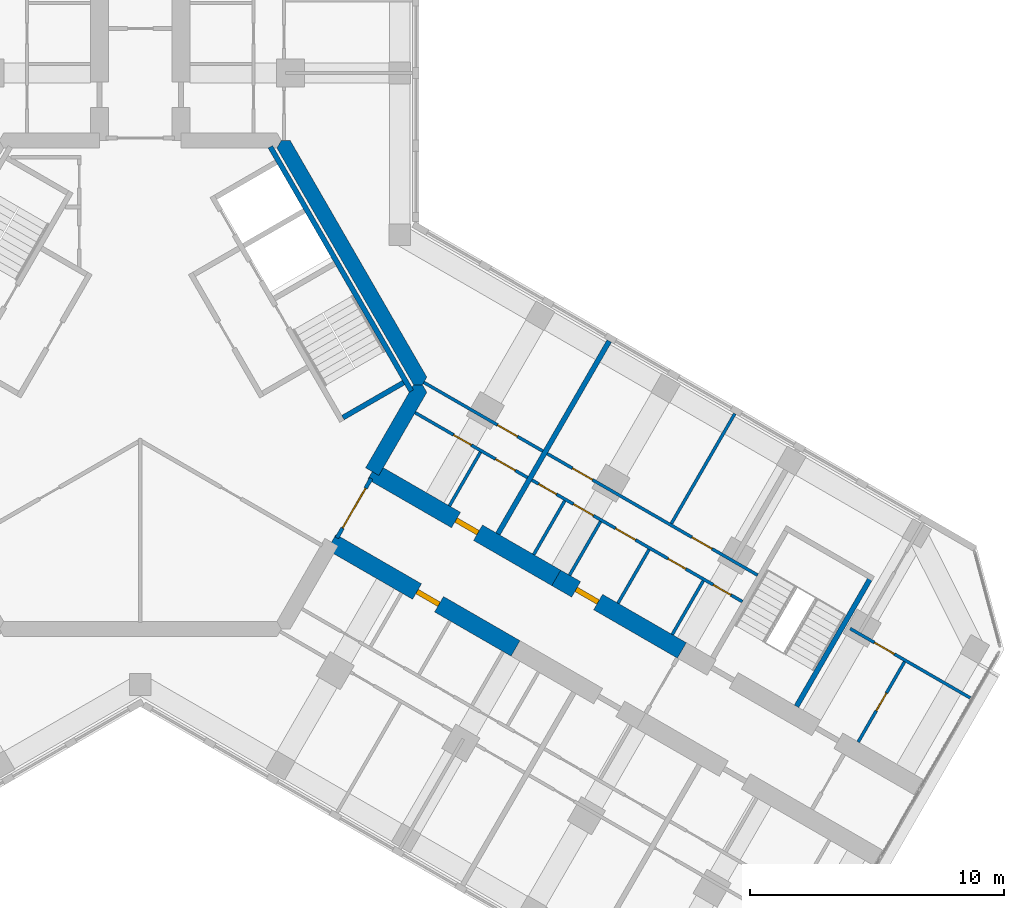
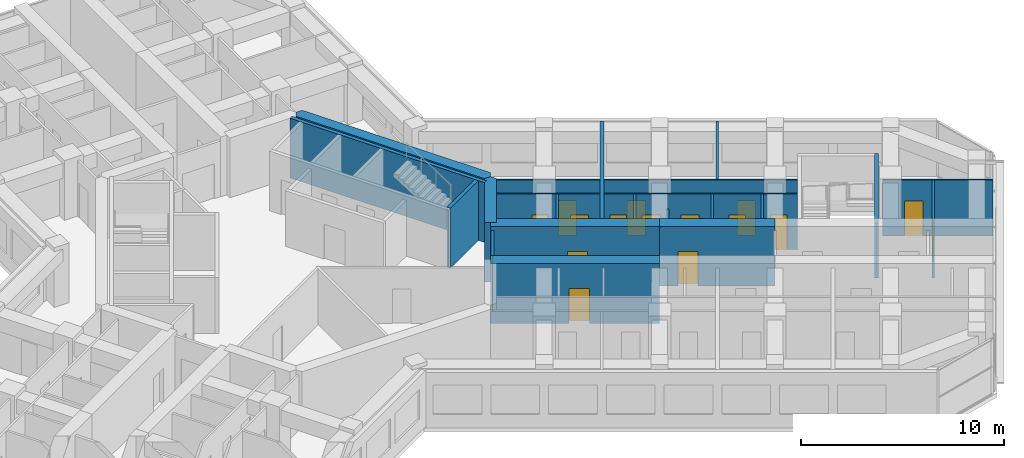
# One storey, part 12 of 16: 22 walls, 16 doors, 16 openings.
"""IFC4 building model written with IfcOpenShell, lengths in metres."""

import ifcopenshell
import ifcopenshell.guid

model = None  # the IFC model being written
_history = None  # IfcOwnerHistory: only IFC2X3 demands one
_inside = {}  # id of a spatial element -> (the spatial element, [elements in it])
_under = {}  # id of a project, library or spatial element -> (it, [spatial elements below it])
_declared = {}  # id of a project -> (the project, [libraries it declares])
_typed = {}  # id of a type object -> (the type object, [elements of that type])
_made_of = {}  # id of a material, layer set ... -> (it, [elements and type objects made of it])


def new_model(schema):
    """Start an empty IFC model of exactly this schema.

    Asked for "IFC4X3", IfcOpenShell would pick the latest addendum, in which some entities
    have other attributes; the version numbers below select the first issue.
    IFC2X3 requires an IfcOwnerHistory on every rooted entity: one is made here for all.
    """
    global model, _history
    if schema == "IFC4X3":
        model = ifcopenshell.file(schema_version=(4, 3, 0, 0))
    else:
        model = ifcopenshell.file(schema=schema)
    _inside.clear()
    _under.clear()
    _declared.clear()
    _typed.clear()
    _made_of.clear()
    _history = None
    if model.schema == "IFC2X3":
        org = make("IfcOrganization", Name="unknown")
        user = make(
            "IfcPersonAndOrganization",
            ThePerson=make("IfcPerson", FamilyName="unknown"),
            TheOrganization=org,
        )
        app = make(
            "IfcApplication",
            ApplicationDeveloper=org,
            Version="unknown",
            ApplicationFullName="unknown",
            ApplicationIdentifier="unknown",
        )
        _history = make(
            "IfcOwnerHistory",
            OwningUser=user,
            OwningApplication=app,
            ChangeAction="ADDED",
            CreationDate=0,
        )
    return model


def make(cls, **values):
    """One entity of the class cls with the attributes given. An attribute that is None is left unset."""
    return model.create_entity(
        cls, **{name: value for name, value in values.items() if value is not None}
    )


def rooted(cls, **values):
    """An entity with a GlobalId (a new one), such as an element, a storey or a relation."""
    return make(cls, GlobalId=ifcopenshell.guid.new(), OwnerHistory=_history, **values)


def si_unit(unit_type, name, prefix=None):
    """IfcSIUnit, for example si_unit("LENGTHUNIT", "METRE", prefix="MILLI")."""
    return make("IfcSIUnit", UnitType=unit_type, Prefix=prefix, Name=name)


def assignment(units):
    """IfcUnitAssignment: the units of a project."""
    return None if units is None else make("IfcUnitAssignment", Units=units)


def point(xyz):
    """IfcCartesianPoint."""
    return None if xyz is None else make("IfcCartesianPoint", Coordinates=xyz)


def direction(xyz):
    """IfcDirection."""
    return None if xyz is None else make("IfcDirection", DirectionRatios=xyz)


def frame(location, z_axis=None, x_axis=None):
    """IfcAxis2Placement3D, a coordinate frame: its origin and axes. An axis left out is left unset."""
    return make(
        "IfcAxis2Placement3D",
        Location=point(location),
        Axis=direction(z_axis),
        RefDirection=direction(x_axis),
    )


def frame_2d(location, x_axis=None):
    """IfcAxis2Placement2D, a coordinate frame in the plane: its origin and x axis."""
    return make(
        "IfcAxis2Placement2D", Location=point(location), RefDirection=direction(x_axis)
    )


def origin():
    """The frame at (0, 0, 0) with its axes left unset."""
    return frame((0.0, 0.0, 0.0))


def place(relative_to, where):
    """IfcLocalPlacement: puts the frame where relative to a parent placement (None: the world)."""
    return make(
        "IfcLocalPlacement", PlacementRelTo=relative_to, RelativePlacement=where
    )


def context(
    kind, dimensions, precision=None, world=None, true_north=None, identifier=None
):
    """IfcGeometricRepresentationContext, for example the 3D "Model" context."""
    return make(
        "IfcGeometricRepresentationContext",
        ContextIdentifier=identifier,
        ContextType=kind,
        CoordinateSpaceDimension=dimensions,
        Precision=precision,
        WorldCoordinateSystem=world,
        TrueNorth=true_north,
    )


def subcontext(parent, identifier, kind, view, scale=None):
    """IfcGeometricRepresentationSubContext, for example "Body" below "Model"."""
    return make(
        "IfcGeometricRepresentationSubContext",
        ContextIdentifier=identifier,
        ContextType=kind,
        ParentContext=parent,
        TargetScale=scale,
        TargetView=view,
    )


def project(units=None, contexts=None):
    """IfcProject with its units and contexts."""
    return rooted(
        "IfcProject",
        Name="project",
        RepresentationContexts=contexts,
        UnitsInContext=assignment(units),
    )


def spatial(cls, under=None, at=None, **own):
    """A site, building, storey or space (cls), placed at a placement, below another one or the project."""
    s = rooted(cls, ObjectPlacement=at, **own)
    if under is not None:
        _under.setdefault(under.id(), (under, []))[1].append(s)
    return s


def polyline(points):
    """IfcPolyline through the points."""
    return make("IfcPolyline", Points=[point(p) for p in points])


def profile(cls, at=None, kind="AREA", **sizes):
    """A parametric profile (cls). Its sizes go by their IFC names, for example OverallWidth=200.0."""
    return make(cls, ProfileType=kind, Position=at, **sizes)


def rectangle(**sizes):
    """IfcRectangleProfileDef."""
    return profile("IfcRectangleProfileDef", **sizes)


def outline(outer, holes=None, kind="AREA"):
    """IfcArbitraryClosedProfileDef: a profile drawn as a closed curve; with holes, ...WithVoids."""
    if holes is None:
        return make("IfcArbitraryClosedProfileDef", ProfileType=kind, OuterCurve=outer)
    return make(
        "IfcArbitraryProfileDefWithVoids",
        ProfileType=kind,
        OuterCurve=outer,
        InnerCurves=holes,
    )


def extrude(swept, where, along, depth):
    """IfcExtrudedAreaSolid: the profile swept, set in the frame where, extruded along a direction by depth."""
    return make(
        "IfcExtrudedAreaSolid",
        SweptArea=swept,
        Position=where,
        ExtrudedDirection=direction(along),
        Depth=depth,
    )


def shape(context_of_items, identifier, shape_type, items):
    """IfcShapeRepresentation: the items that make up one representation, for example the "Body"."""
    return make(
        "IfcShapeRepresentation",
        ContextOfItems=context_of_items,
        RepresentationIdentifier=identifier,
        RepresentationType=shape_type,
        Items=items,
    )


def material(Name=None, Category=None):
    """IfcMaterial."""
    return make("IfcMaterial", Name=Name, Category=Category)


def layer(
    of_material, thickness, ventilated=None, Name=None, Category=None, Priority=None
):
    """IfcMaterialLayer: one layer of a wall or slab, of a material (None: an air gap)."""
    return make(
        "IfcMaterialLayer",
        Material=of_material,
        LayerThickness=thickness,
        IsVentilated=ventilated,
        Name=Name,
        Category=Category,
        Priority=Priority,
    )


def layer_set(layers, Name=None):
    """IfcMaterialLayerSet."""
    return make("IfcMaterialLayerSet", MaterialLayers=layers, LayerSetName=Name)


def made_of(thing, what):
    """Note that an element or type object is made of a material, layer set ...; save() writes the relation."""
    if what is not None:
        _made_of.setdefault(what.id(), (what, []))[1].append(thing)
    return thing


def type_object(cls, material=None, **own):
    """A type object (cls), such as IfcWallType, which elements share."""
    return made_of(rooted(cls, **own), material)


def element(
    cls,
    number,
    at=None,
    inside=None,
    cuts=None,
    type_object=None,
    material=None,
    context=None,
    identifier="Body",
    shape_type=None,
    held_by="IfcProductDefinitionShape",
    body=None,
    shapes=None,
    **own,
):
    """One element of the class cls, such as IfcWall. Its Tag is "e" and its number.

    at: its placement. inside: the storey or other place that contains it. cuts: it is an
    opening in that element (IfcRelVoidsElement). A single representation is given by context,
    identifier, shape_type and body (its items); several are given by shapes. held_by: the class
    of the entity that holds the representations. save() writes the other relations.
    """
    e = rooted(cls, Tag="e%d" % number, ObjectPlacement=at, **own)
    if body is not None:
        shapes = [shape(context, identifier, shape_type, body)]
    if shapes is not None:
        e.Representation = make(held_by, Representations=shapes)
    if inside is not None:
        _inside.setdefault(inside.id(), (inside, []))[1].append(e)
    if cuts is not None:
        rooted(
            "IfcRelVoidsElement", RelatingBuildingElement=cuts, RelatedOpeningElement=e
        )
    if type_object is not None:
        _typed.setdefault(type_object.id(), (type_object, []))[1].append(e)
    return made_of(e, material)


def fill(opening, filler):
    """IfcRelFillsElement: the door or window that sits in an opening."""
    return rooted(
        "IfcRelFillsElement",
        RelatingOpeningElement=opening,
        RelatedBuildingElement=filler,
    )


def aggregate(whole, parts):
    """IfcRelAggregates: a whole, such as a stair, and the parts it consists of."""
    return rooted("IfcRelAggregates", RelatingObject=whole, RelatedObjects=parts)


def save(model, path):
    """Write the relations noted so far, then the file.

    IfcRelAggregates (storeys below a building ...), IfcRelContainedInSpatialStructure (elements
    in a storey), IfcRelDefinesByType, IfcRelAssociatesMaterial and IfcRelDeclares: one each for
    every whole, place, type object, material and project.
    """
    for whole, parts in _under.values():
        aggregate(whole, parts)
    for where, things in _inside.values():
        rooted(
            "IfcRelContainedInSpatialStructure",
            RelatedElements=things,
            RelatingStructure=where,
        )
    for kind, things in _typed.values():
        rooted("IfcRelDefinesByType", RelatedObjects=things, RelatingType=kind)
    for what, things in _made_of.values():
        rooted("IfcRelAssociatesMaterial", RelatedObjects=things, RelatingMaterial=what)
    for by, libraries in _declared.values():
        rooted("IfcRelDeclares", RelatingContext=by, RelatedDefinitions=libraries)
    model.write(path)


model = new_model("IFC4")

# Units and contexts
model_context = context("Model", 3, precision=1e-05, world=origin(), true_north=direction((0.0, 1.0)))
body_context = subcontext(model_context, "Body", "Model", "MODEL_VIEW")
ifc_project = project(units=[si_unit("LENGTHUNIT", "METRE"), si_unit("AREAUNIT", "SQUARE_METRE"), si_unit("VOLUMEUNIT", "CUBIC_METRE"), si_unit("PLANEANGLEUNIT", "RADIAN"), si_unit("MASSUNIT", "GRAM", prefix="KILO")], contexts=[model_context])

# Site, building, storey
site_placement = place(None, origin())
site = spatial("IfcSite", under=ifc_project, at=site_placement, CompositionType="ELEMENT")
building_placement = place(site_placement, origin())
building = spatial("IfcBuilding", under=site, at=building_placement, Name="Kosmar Iwan School Tower", CompositionType="ELEMENT")
storey_placement = place(building_placement, frame((0.0, 0.0, 231.60009765625)))
storey = spatial("IfcBuildingStorey", under=building, at=storey_placement, Name="L58", CompositionType="ELEMENT", Elevation=231.60009765625)

# Walls
ifc_material_1 = material(Name="Concrete C50/60", Category="concrete")
ifc_layer_1 = layer(ifc_material_1, 0.60009765625)
ifc_layer_set_1 = layer_set([ifc_layer_1], Name="Core wall 600")
wall_type_1 = type_object("IfcWallType", Name="Core wall 600", PredefinedType="SHEAR", material=ifc_layer_set_1)
wall_1_placement = place(storey_placement, origin())
element("IfcWall", 1, at=wall_1_placement, inside=storey, type_object=wall_type_1, Name="Core wall F030", PredefinedType="SHEAR", context=body_context, shape_type="SweptSolid", body=[
    extrude(outline(polyline([(10.73876953125, 0.0), (11.085205078125, 0.0), (11.25830078125, 0.300048828125), (5.888916015625, 9.60009765625), (5.54248046875, 9.60009765625), (5.369384765625, 9.300048828125), (10.73876953125, 0.0)])), origin(), (0.0, 0.0, 1.0), 3.599853515625),
])
wall_2_placement = place(storey_placement, origin())
element("IfcWall", 2, at=wall_2_placement, inside=storey, type_object=wall_type_1, Name="Core wall F330b", PredefinedType="SHEAR", context=body_context, shape_type="SweptSolid", body=[
    extrude(outline(polyline([(9.37353515625, -3.564453125), (11.25830078125, -0.300048828125), (11.085205078125, 0.0), (10.73876953125, 0.0), (8.85400390625, -3.264404296875), (9.37353515625, -3.564453125)])), origin(), (0.0, 0.0, 1.0), 3.599853515625),
])

# Wall, opening, door
ifc_material_2 = material(Name="Concrete C50/60", Category="concrete")
ifc_layer_2 = layer(ifc_material_2, 0.699951171875)
ifc_layer_set_2 = layer_set([ifc_layer_2], Name="Corridor buttress wall 700")
wall_type_2 = type_object("IfcWallType", Name="Corridor buttress wall 700", PredefinedType="SHEAR", material=ifc_layer_set_2)
wall_3_placement = place(storey_placement, frame((9.11376953125, -3.414306640625, 0.0), z_axis=(0.0, 0.0, 1.0), x_axis=(0.866026859388, -0.499997478812, 0.0)))
wall_3 = element("IfcWall", 3, at=wall_3_placement, inside=storey, type_object=wall_type_2, Name="Corridor wall CL", PredefinedType="SHEAR", context=body_context, shape_type="SweptSolid", body=[
    extrude(rectangle(XDim=8.35009765625, YDim=0.699951171875, at=frame_2d((4.175048828125, 0.0))), origin(), (0.0, 0.0, 1.0), 3.599853515625),
])
opening_1_placement = place(wall_3_placement, frame((3.800048828125, 0.0, 0.0)))
opening_1 = element("IfcOpeningElement", 4, at=opening_1_placement, cuts=wall_3, Name="Opening D1", PredefinedType="OPENING", context=body_context, shape_type="SweptSolid", body=[
    extrude(rectangle(XDim=1.0, YDim=2.10009765625, at=frame_2d((0.5, 1.050048828125))), frame((0.0, 0.362060546875, 0.0), z_axis=(0.0, -1.0, 0.0), x_axis=(1.0, 0.0, 0.0)), (0.0, 0.0, 1.0), 0.723876953125),
])
ifc_material_3 = material(Name="Timber fire door in steel frame", Category="steel")
door_type_1 = type_object("IfcDoorType", Name="Flat entrance door 1000x2100", OperationType="SINGLE_SWING_LEFT", PredefinedType="DOOR", material=ifc_material_3)
door_1_placement = place(opening_1_placement, origin())
door_1 = element("IfcDoor", 5, at=door_1_placement, inside=storey, type_object=door_type_1, Name="Flat L58-CL1 entrance door", OperationType="SINGLE_SWING_LEFT", OverallHeight=2.10009765625, OverallWidth=1.0, PredefinedType="DOOR", context=body_context, shape_type="SweptSolid", body=[
    extrude(rectangle(XDim=1.0, YDim=2.10009765625, at=frame_2d((0.5, 1.050048828125))), frame((0.0, 0.10009765625, 0.0), z_axis=(0.0, -1.0, 0.0), x_axis=(1.0, 0.0, 0.0)), (0.0, 0.0, 1.0), 0.199951171875),
])
fill(opening_1, door_1)

wall_4_placement = place(storey_placement, frame((16.34521484375, -7.58935546875, 0.0), z_axis=(0.0, 0.0, 1.0), x_axis=(0.866015111908, -0.50001782563, 0.0)))
wall_4 = element("IfcWall", 6, at=wall_4_placement, inside=storey, type_object=wall_type_2, Name="Corridor wall CL bay 2", PredefinedType="SHEAR", context=body_context, shape_type="SweptSolid", body=[
    extrude(rectangle(XDim=5.699951171875, YDim=0.699951171875, at=frame_2d((2.85009765625, 0.0))), origin(), (0.0, 0.0, 1.0), 3.599853515625),
])
opening_2_placement = place(wall_4_placement, frame((0.89990234375, 0.0, 0.0)))
opening_2 = element("IfcOpeningElement", 7, at=opening_2_placement, cuts=wall_4, Name="Opening D1", PredefinedType="OPENING", context=body_context, shape_type="SweptSolid", body=[
    extrude(rectangle(XDim=1.0, YDim=2.10009765625, at=frame_2d((0.5, 1.050048828125))), frame((0.0, 0.362060546875, 0.0), z_axis=(0.0, -1.0, 0.0), x_axis=(1.0, 0.0, 0.0)), (0.0, 0.0, 1.0), 0.723876953125),
])
door_2_placement = place(opening_2_placement, origin())
door_2 = element("IfcDoor", 8, at=door_2_placement, inside=storey, type_object=door_type_1, Name="Flat L58-CL2 entrance door", OperationType="SINGLE_SWING_LEFT", OverallHeight=2.10009765625, OverallWidth=1.0, PredefinedType="DOOR", context=body_context, shape_type="SweptSolid", body=[
    extrude(rectangle(XDim=1.0, YDim=2.10009765625, at=frame_2d((0.5, 1.050048828125))), frame((0.0, 0.10009765625, 0.0), z_axis=(0.0, -1.0, 0.0), x_axis=(1.0, 0.0, 0.0)), (0.0, 0.0, 1.0), 0.199951171875),
])
fill(opening_2, door_2)

wall_5_placement = place(storey_placement, frame((7.513916015625, -6.185546875, 0.0), z_axis=(0.0, 0.0, 1.0), x_axis=(0.866019549707, -0.500010139422, 0.0)))
wall_5 = element("IfcWall", 9, at=wall_5_placement, inside=storey, type_object=wall_type_2, Name="Corridor wall CR", PredefinedType="SHEAR", context=body_context, shape_type="SweptSolid", body=[
    extrude(rectangle(XDim=8.349853515625, YDim=0.699951171875, at=frame_2d((4.1748046875, 0.0))), origin(), (0.0, 0.0, 1.0), 3.599853515625),
])
opening_3_placement = place(wall_5_placement, frame((3.8798828125, 0.0, 0.0)))
opening_3 = element("IfcOpeningElement", 10, at=opening_3_placement, cuts=wall_5, Name="Opening D1", PredefinedType="OPENING", context=body_context, shape_type="SweptSolid", body=[
    extrude(rectangle(XDim=1.0, YDim=2.10009765625, at=frame_2d((0.5, 1.050048828125))), frame((0.0, 0.362060546875, 0.0), z_axis=(0.0, -1.0, 0.0), x_axis=(1.0, 0.0, 0.0)), (0.0, 0.0, 1.0), 0.723876953125),
])
door_3_placement = place(opening_3_placement, origin())
door_3 = element("IfcDoor", 11, at=door_3_placement, inside=storey, type_object=door_type_1, Name="Flat L58-CR1 entrance door", OperationType="SINGLE_SWING_RIGHT", OverallHeight=2.10009765625, OverallWidth=1.0, PredefinedType="DOOR", context=body_context, shape_type="SweptSolid", body=[
    extrude(rectangle(XDim=1.0, YDim=2.10009765625, at=frame_2d((0.5, 1.050048828125))), frame((0.0, 0.10009765625, 0.0), z_axis=(0.0, -1.0, 0.0), x_axis=(1.0, 0.0, 0.0)), (0.0, 0.0, 1.0), 0.199951171875),
])
fill(opening_3, door_3)

ifc_material_4 = material(Name="Steel framed glazed screen", Category="steel")
ifc_layer_3 = layer(ifc_material_4, 0.14990234375)
ifc_layer_set_3 = layer_set([ifc_layer_3], Name="Corridor screen wall 150")
wall_type_3 = type_object("IfcWallType", Name="Corridor screen wall 150", PredefinedType="PARTITIONING", material=ifc_layer_set_3)
wall_6_placement = place(storey_placement, frame((7.725341796875, -6.01904296875, 0.0), z_axis=(0.0, 0.0, 1.0), x_axis=(0.500048589285, 0.86599734893, 0.0)))
wall_6 = element("IfcWall", 12, at=wall_6_placement, inside=storey, type_object=wall_type_3, Name="Corridor screen C L58", PredefinedType="PARTITIONING", context=body_context, shape_type="SweptSolid", body=[
    extrude(rectangle(XDim=2.699951171875, YDim=0.14990234375, at=frame_2d((1.35009765625, 0.0))), origin(), (0.0, 0.0, 1.0), 3.349853515625),
])
opening_4_placement = place(wall_6_placement, frame((0.449951171875, 0.0, 0.0)))
opening_4 = element("IfcOpeningElement", 13, at=opening_4_placement, cuts=wall_6, Name="Opening D9", PredefinedType="OPENING", context=body_context, shape_type="SweptSolid", body=[
    extrude(rectangle(XDim=1.800048828125, YDim=2.10009765625, at=frame_2d((0.89990234375, 1.050048828125))), frame((0.0, 0.0869140625, 0.0), z_axis=(0.0, -1.0, 0.0), x_axis=(1.0, 0.0, 0.0)), (0.0, 0.0, 1.0), 0.173828125),
])
ifc_material_5 = material(Name="Steel framed glazed smoke door", Category="steel")
door_type_2 = type_object("IfcDoorType", Name="Corridor smoke door pair 1800x2100", OperationType="DOUBLE_DOOR_DOUBLE_SWING", PredefinedType="DOOR", material=ifc_material_5)
door_4_placement = place(opening_4_placement, origin())
door_4 = element("IfcDoor", 14, at=door_4_placement, inside=storey, type_object=door_type_2, Name="Corridor doors C L58", OperationType="DOUBLE_DOOR_DOUBLE_SWING", OverallHeight=2.10009765625, OverallWidth=1.800048828125, PredefinedType="DOOR", context=body_context, shape_type="SweptSolid", body=[
    extrude(rectangle(XDim=1.800048828125, YDim=2.10009765625, at=frame_2d((0.89990234375, 1.050048828125))), frame((0.0, 0.02490234375, 0.0), z_axis=(0.0, -1.0, 0.0), x_axis=(1.0, 0.0, 0.0)), (0.0, 0.0, 1.0), 0.050048828125),
])
fill(opening_4, door_4)

# Wall, openings, doors
ifc_material_6 = material(Name="Gypsum board on steel studs", Category="steel")
ifc_layer_4 = layer(ifc_material_6, 0.1201171875)
ifc_layer_set_4 = layer_set([ifc_layer_4], Name="Dwelling partition 120")
wall_type_4 = type_object("IfcWallType", Name="Dwelling partition 120", PredefinedType="PARTITIONING", material=ifc_layer_set_4)
wall_7_placement = place(storey_placement, frame((10.798583984375, -1.09619140625, 0.0), z_axis=(0.0, 0.0, 1.0), x_axis=(0.86602216432, -0.500005610874, 0.0)))
wall_7 = element("IfcWall", 15, at=wall_7_placement, inside=storey, type_object=wall_type_4, Name="Partition L58-CL1-W1", PredefinedType="PARTITIONING", context=body_context, shape_type="SweptSolid", body=[
    extrude(rectangle(XDim=5.10009765625, YDim=0.1201171875, at=frame_2d((2.550048828125, 0.0))), origin(), (0.0, 0.0, 1.0), 3.349853515625),
])
opening_5_placement = place(wall_7_placement, frame((1.75, 0.0, 0.0)))
opening_5 = element("IfcOpeningElement", 16, at=opening_5_placement, cuts=wall_7, Name="Opening D3", PredefinedType="OPENING", context=body_context, shape_type="SweptSolid", body=[
    extrude(rectangle(XDim=0.800048828125, YDim=2.10009765625, at=frame_2d((0.39990234375, 1.050048828125))), frame((0.0, 0.072021484375, 0.0), z_axis=(0.0, -1.0, 0.0), x_axis=(1.0, 0.0, 0.0)), (0.0, 0.0, 1.0), 0.14404296875),
])
opening_6_placement = place(wall_7_placement, frame((3.64990234375, 0.0, 0.0)))
opening_6 = element("IfcOpeningElement", 17, at=opening_6_placement, cuts=wall_7, Name="Opening D2", PredefinedType="OPENING", context=body_context, shape_type="SweptSolid", body=[
    extrude(rectangle(XDim=0.89990234375, YDim=2.10009765625, at=frame_2d((0.449951171875, 1.050048828125))), frame((0.0, 0.072021484375, 0.0), z_axis=(0.0, -1.0, 0.0), x_axis=(1.0, 0.0, 0.0)), (0.0, 0.0, 1.0), 0.14404296875),
])
ifc_material_7 = material(Name="Timber door in timber frame", Category="wood")
door_type_3 = type_object("IfcDoorType", Name="Internal door 900x2100", OperationType="SINGLE_SWING_LEFT", PredefinedType="DOOR", material=ifc_material_7)
door_5_placement = place(opening_6_placement, origin())
door_5 = element("IfcDoor", 18, at=door_5_placement, inside=storey, type_object=door_type_3, Name="Entrance hall door L58-CL1-S2", OperationType="SINGLE_SWING_RIGHT", OverallHeight=2.10009765625, OverallWidth=0.89990234375, PredefinedType="DOOR", context=body_context, shape_type="SweptSolid", body=[
    extrude(rectangle(XDim=0.89990234375, YDim=2.10009765625, at=frame_2d((0.449951171875, 1.050048828125))), frame((0.0, 0.02490234375, 0.0), z_axis=(0.0, -1.0, 0.0), x_axis=(1.0, 0.0, 0.0)), (0.0, 0.0, 1.0), 0.050048828125),
])
fill(opening_6, door_5)
ifc_material_8 = material(Name="Timber door in timber frame", Category="wood")
door_type_4 = type_object("IfcDoorType", Name="Sanitary room door 800x2100", OperationType="SINGLE_SWING_LEFT", PredefinedType="DOOR", material=ifc_material_8)
door_6_placement = place(opening_5_placement, origin())
door_6 = element("IfcDoor", 19, at=door_6_placement, inside=storey, type_object=door_type_4, Name="Bathroom door L58-CL1-S1", OperationType="SINGLE_SWING_LEFT", OverallHeight=2.10009765625, OverallWidth=0.800048828125, PredefinedType="DOOR", context=body_context, shape_type="SweptSolid", body=[
    extrude(rectangle(XDim=0.800048828125, YDim=2.10009765625, at=frame_2d((0.39990234375, 1.050048828125))), frame((0.0, 0.02490234375, 0.0), z_axis=(0.0, -1.0, 0.0), x_axis=(1.0, 0.0, 0.0)), (0.0, 0.0, 1.0), 0.050048828125),
])
fill(opening_5, door_6)

# Wall, opening, door
wall_8_placement = place(storey_placement, frame((11.138916015625, 0.093017578125, 0.0), z_axis=(0.0, 0.0, 1.0), x_axis=(0.866028230842, -0.499995103361, 0.0)))
wall_8 = element("IfcWall", 20, at=wall_8_placement, inside=storey, type_object=wall_type_4, Name="Partition L58-CL1-W2", PredefinedType="PARTITIONING", context=body_context, shape_type="SweptSolid", body=[
    extrude(rectangle(XDim=5.39990234375, YDim=0.1201171875, at=frame_2d((2.699951171875, 0.0))), origin(), (0.0, 0.0, 1.0), 3.349853515625),
])
opening_7_placement = place(wall_8_placement, frame((3.35009765625, 0.0, 0.0)))
opening_7 = element("IfcOpeningElement", 21, at=opening_7_placement, cuts=wall_8, Name="Opening D2", PredefinedType="OPENING", context=body_context, shape_type="SweptSolid", body=[
    extrude(rectangle(XDim=0.89990234375, YDim=2.10009765625, at=frame_2d((0.449951171875, 1.050048828125))), frame((0.0, 0.072021484375, 0.0), z_axis=(0.0, -1.0, 0.0), x_axis=(1.0, 0.0, 0.0)), (0.0, 0.0, 1.0), 0.14404296875),
])
door_7_placement = place(opening_7_placement, origin())
door_7 = element("IfcDoor", 22, at=door_7_placement, inside=storey, type_object=door_type_3, Name="Studio living room and kitchen door L58-CL1-F1", OperationType="SINGLE_SWING_RIGHT", OverallHeight=2.10009765625, OverallWidth=0.89990234375, PredefinedType="DOOR", context=body_context, shape_type="SweptSolid", body=[
    extrude(rectangle(XDim=0.89990234375, YDim=2.10009765625, at=frame_2d((0.449951171875, 1.050048828125))), frame((0.0, 0.02490234375, 0.0), z_axis=(0.0, -1.0, 0.0), x_axis=(1.0, 0.0, 0.0)), (0.0, 0.0, 1.0), 0.050048828125),
])
fill(opening_7, door_7)

# Wall
wall_9_placement = place(storey_placement, frame((12.146728515625, -4.76123046875, 0.0), z_axis=(0.0, 0.0, 1.0), x_axis=(0.500002508028, 0.866023955769, 0.0)))
element("IfcWall", 23, at=wall_9_placement, inside=storey, type_object=wall_type_4, Name="Partition L58-CL1-Y1", PredefinedType="PARTITIONING", context=body_context, shape_type="SweptSolid", body=[
    extrude(rectangle(XDim=2.43994140625, YDim=0.1201171875, at=frame_2d((1.219970703125, 0.0))), origin(), (0.0, 0.0, 1.0), 3.349853515625),
])

# Wall, openings, doors
wall_10_placement = place(storey_placement, frame((15.388671875, -3.74609375, 0.0), z_axis=(0.0, 0.0, 1.0), x_axis=(0.866017851049, -0.500013081493, 0.0)))
wall_10 = element("IfcWall", 24, at=wall_10_placement, inside=storey, type_object=wall_type_4, Name="Partition L58-CL2-W1", PredefinedType="PARTITIONING", context=body_context, shape_type="SweptSolid", body=[
    extrude(rectangle(XDim=9.550048828125, YDim=0.1201171875, at=frame_2d((4.77490234375, 0.0))), origin(), (0.0, 0.0, 1.0), 3.349853515625),
])
opening_8_placement = place(wall_10_placement, frame((0.3125, 0.0, 0.0)))
opening_8 = element("IfcOpeningElement", 25, at=opening_8_placement, cuts=wall_10, Name="Opening D3", PredefinedType="OPENING", context=body_context, shape_type="SweptSolid", body=[
    extrude(rectangle(XDim=0.800048828125, YDim=2.10009765625, at=frame_2d((0.39990234375, 1.050048828125))), frame((0.0, 0.072021484375, 0.0), z_axis=(0.0, -1.0, 0.0), x_axis=(1.0, 0.0, 0.0)), (0.0, 0.0, 1.0), 0.14404296875),
])
opening_9_placement = place(wall_10_placement, frame((1.887451171875, 0.0, 0.0)))
opening_9 = element("IfcOpeningElement", 26, at=opening_9_placement, cuts=wall_10, Name="Opening D2", PredefinedType="OPENING", context=body_context, shape_type="SweptSolid", body=[
    extrude(rectangle(XDim=0.89990234375, YDim=2.10009765625, at=frame_2d((0.449951171875, 1.050048828125))), frame((0.0, 0.072021484375, 0.0), z_axis=(0.0, -1.0, 0.0), x_axis=(1.0, 0.0, 0.0)), (0.0, 0.0, 1.0), 0.14404296875),
])
opening_10_placement = place(wall_10_placement, frame((3.800048828125, 0.0, 0.0)))
opening_10 = element("IfcOpeningElement", 27, at=opening_10_placement, cuts=wall_10, Name="Opening D2", PredefinedType="OPENING", context=body_context, shape_type="SweptSolid", body=[
    extrude(rectangle(XDim=0.89990234375, YDim=2.10009765625, at=frame_2d((0.449951171875, 1.050048828125))), frame((0.0, 0.072021484375, 0.0), z_axis=(0.0, -1.0, 0.0), x_axis=(1.0, 0.0, 0.0)), (0.0, 0.0, 1.0), 0.14404296875),
])
opening_11_placement = place(wall_10_placement, frame((6.179931640625, 0.0, 0.0)))
opening_11 = element("IfcOpeningElement", 28, at=opening_11_placement, cuts=wall_10, Name="Opening D3", PredefinedType="OPENING", context=body_context, shape_type="SweptSolid", body=[
    extrude(rectangle(XDim=0.800048828125, YDim=2.10009765625, at=frame_2d((0.39990234375, 1.050048828125))), frame((0.0, 0.072021484375, 0.0), z_axis=(0.0, -1.0, 0.0), x_axis=(1.0, 0.0, 0.0)), (0.0, 0.0, 1.0), 0.14404296875),
])
opening_12_placement = place(wall_10_placement, frame((8.22998046875, 0.0, 0.0)))
opening_12 = element("IfcOpeningElement", 29, at=opening_12_placement, cuts=wall_10, Name="Opening D3", PredefinedType="OPENING", context=body_context, shape_type="SweptSolid", body=[
    extrude(rectangle(XDim=0.800048828125, YDim=2.10009765625, at=frame_2d((0.39990234375, 1.050048828125))), frame((0.0, 0.072021484375, 0.0), z_axis=(0.0, -1.0, 0.0), x_axis=(1.0, 0.0, 0.0)), (0.0, 0.0, 1.0), 0.14404296875),
])
door_8_placement = place(opening_9_placement, origin())
door_8 = element("IfcDoor", 30, at=door_8_placement, inside=storey, type_object=door_type_3, Name="Pantry door L58-CL2-S2", OperationType="SINGLE_SWING_LEFT", OverallHeight=2.10009765625, OverallWidth=0.89990234375, PredefinedType="DOOR", context=body_context, shape_type="SweptSolid", body=[
    extrude(rectangle(XDim=0.89990234375, YDim=2.10009765625, at=frame_2d((0.449951171875, 1.050048828125))), frame((0.0, 0.02490234375, 0.0), z_axis=(0.0, -1.0, 0.0), x_axis=(1.0, 0.0, 0.0)), (0.0, 0.0, 1.0), 0.050048828125),
])
fill(opening_9, door_8)
door_9_placement = place(opening_10_placement, origin())
door_9 = element("IfcDoor", 31, at=door_9_placement, inside=storey, type_object=door_type_3, Name="Entrance hall door L58-CL2-S3", OperationType="SINGLE_SWING_LEFT", OverallHeight=2.10009765625, OverallWidth=0.89990234375, PredefinedType="DOOR", context=body_context, shape_type="SweptSolid", body=[
    extrude(rectangle(XDim=0.89990234375, YDim=2.10009765625, at=frame_2d((0.449951171875, 1.050048828125))), frame((0.0, 0.02490234375, 0.0), z_axis=(0.0, -1.0, 0.0), x_axis=(1.0, 0.0, 0.0)), (0.0, 0.0, 1.0), 0.050048828125),
])
fill(opening_10, door_9)
door_10_placement = place(opening_8_placement, origin())
door_10 = element("IfcDoor", 32, at=door_10_placement, inside=storey, type_object=door_type_4, Name="Store door L58-CL2-S1", OperationType="SINGLE_SWING_LEFT", OverallHeight=2.10009765625, OverallWidth=0.800048828125, PredefinedType="DOOR", context=body_context, shape_type="SweptSolid", body=[
    extrude(rectangle(XDim=0.800048828125, YDim=2.10009765625, at=frame_2d((0.39990234375, 1.050048828125))), frame((0.0, 0.02490234375, 0.0), z_axis=(0.0, -1.0, 0.0), x_axis=(1.0, 0.0, 0.0)), (0.0, 0.0, 1.0), 0.050048828125),
])
fill(opening_8, door_10)
door_11_placement = place(opening_11_placement, origin())
door_11 = element("IfcDoor", 33, at=door_11_placement, inside=storey, type_object=door_type_4, Name="Bathroom door L58-CL2-S4", OperationType="SINGLE_SWING_RIGHT", OverallHeight=2.10009765625, OverallWidth=0.800048828125, PredefinedType="DOOR", context=body_context, shape_type="SweptSolid", body=[
    extrude(rectangle(XDim=0.800048828125, YDim=2.10009765625, at=frame_2d((0.39990234375, 1.050048828125))), frame((0.0, 0.02490234375, 0.0), z_axis=(0.0, -1.0, 0.0), x_axis=(1.0, 0.0, 0.0)), (0.0, 0.0, 1.0), 0.050048828125),
])
fill(opening_11, door_11)
door_12_placement = place(opening_12_placement, origin())
door_12 = element("IfcDoor", 34, at=door_12_placement, inside=storey, type_object=door_type_4, Name="WC door L58-CL2-S5", OperationType="SINGLE_SWING_RIGHT", OverallHeight=2.10009765625, OverallWidth=0.800048828125, PredefinedType="DOOR", context=body_context, shape_type="SweptSolid", body=[
    extrude(rectangle(XDim=0.800048828125, YDim=2.10009765625, at=frame_2d((0.39990234375, 1.050048828125))), frame((0.0, 0.02490234375, 0.0), z_axis=(0.0, -1.0, 0.0), x_axis=(1.0, 0.0, 0.0)), (0.0, 0.0, 1.0), 0.050048828125),
])
fill(opening_12, door_12)

wall_11_placement = place(storey_placement, frame((15.988525390625, -2.70703125, 0.0), z_axis=(0.0, 0.0, 1.0), x_axis=(0.866028920859, -0.499993908199, 0.0)))
wall_11 = element("IfcWall", 35, at=wall_11_placement, inside=storey, type_object=wall_type_4, Name="Partition L58-CL2-W2", PredefinedType="PARTITIONING", context=body_context, shape_type="SweptSolid", body=[
    extrude(rectangle(XDim=9.5498046875, YDim=0.1201171875, at=frame_2d((4.77490234375, 0.0))), origin(), (0.0, 0.0, 1.0), 3.349853515625),
])
opening_13_placement = place(wall_11_placement, frame((1.14990234375, 0.0, 0.0)))
opening_13 = element("IfcOpeningElement", 36, at=opening_13_placement, cuts=wall_11, Name="Opening D2", PredefinedType="OPENING", context=body_context, shape_type="SweptSolid", body=[
    extrude(rectangle(XDim=0.89990234375, YDim=2.10009765625, at=frame_2d((0.449951171875, 1.050048828125))), frame((0.0, 0.072021484375, 0.0), z_axis=(0.0, -1.0, 0.0), x_axis=(1.0, 0.0, 0.0)), (0.0, 0.0, 1.0), 0.14404296875),
])
opening_14_placement = place(wall_11_placement, frame((6.574951171875, 0.0, 0.0)))
opening_14 = element("IfcOpeningElement", 37, at=opening_14_placement, cuts=wall_11, Name="Opening D2", PredefinedType="OPENING", context=body_context, shape_type="SweptSolid", body=[
    extrude(rectangle(XDim=0.89990234375, YDim=2.10009765625, at=frame_2d((0.449951171875, 1.050048828125))), frame((0.0, 0.072021484375, 0.0), z_axis=(0.0, -1.0, 0.0), x_axis=(1.0, 0.0, 0.0)), (0.0, 0.0, 1.0), 0.14404296875),
])
door_13_placement = place(opening_13_placement, origin())
door_13 = element("IfcDoor", 38, at=door_13_placement, inside=storey, type_object=door_type_3, Name="Living room and kitchen door L58-CL2-F1", OperationType="SINGLE_SWING_LEFT", OverallHeight=2.10009765625, OverallWidth=0.89990234375, PredefinedType="DOOR", context=body_context, shape_type="SweptSolid", body=[
    extrude(rectangle(XDim=0.89990234375, YDim=2.10009765625, at=frame_2d((0.449951171875, 1.050048828125))), frame((0.0, 0.02490234375, 0.0), z_axis=(0.0, -1.0, 0.0), x_axis=(1.0, 0.0, 0.0)), (0.0, 0.0, 1.0), 0.050048828125),
])
fill(opening_13, door_13)
door_14_placement = place(opening_14_placement, origin())
door_14 = element("IfcDoor", 39, at=door_14_placement, inside=storey, type_object=door_type_3, Name="Bedroom 1 door L58-CL2-F2", OperationType="SINGLE_SWING_LEFT", OverallHeight=2.10009765625, OverallWidth=0.89990234375, PredefinedType="DOOR", context=body_context, shape_type="SweptSolid", body=[
    extrude(rectangle(XDim=0.89990234375, YDim=2.10009765625, at=frame_2d((0.449951171875, 1.050048828125))), frame((0.0, 0.02490234375, 0.0), z_axis=(0.0, -1.0, 0.0), x_axis=(1.0, 0.0, 0.0)), (0.0, 0.0, 1.0), 0.050048828125),
])
fill(opening_14, door_14)

# Walls
wall_12_placement = place(storey_placement, frame((20.868408203125, -5.455078125, 0.0), z_axis=(0.0, 0.0, 1.0), x_axis=(0.499975153383, 0.86603974851, 0.0)))
element("IfcWall", 40, at=wall_12_placement, inside=storey, type_object=wall_type_4, Name="Partition L58-CL2-X1", PredefinedType="PARTITIONING", context=body_context, shape_type="SweptSolid", body=[
    extrude(rectangle(XDim=4.989990234375, YDim=0.1201171875, at=frame_2d((2.4951171875, 0.0))), origin(), (0.0, 0.0, 1.0), 3.349853515625),
])
wall_13_placement = place(storey_placement, frame((15.459228515625, -6.673828125, 0.0), z_axis=(0.0, 0.0, 1.0), x_axis=(0.499959183527, 0.866048967903, 0.0)))
element("IfcWall", 41, at=wall_13_placement, inside=storey, type_object=wall_type_4, Name="Partition L58-CL2-Y1", PredefinedType="PARTITIONING", context=body_context, shape_type="SweptSolid", body=[
    extrude(rectangle(XDim=2.440185546875, YDim=0.1201171875, at=frame_2d((1.22021484375, 0.0))), origin(), (0.0, 0.0, 1.0), 3.349853515625),
])
wall_14_placement = place(storey_placement, frame((16.866455078125, -7.486328125, 0.0), z_axis=(0.0, 0.0, 1.0), x_axis=(0.500034220881, 0.866005645448, 0.0)))
element("IfcWall", 42, at=wall_14_placement, inside=storey, type_object=wall_type_4, Name="Partition L58-CL2-Y2", PredefinedType="PARTITIONING", context=body_context, shape_type="SweptSolid", body=[
    extrude(rectangle(XDim=2.440185546875, YDim=0.1201171875, at=frame_2d((1.22021484375, 0.0))), origin(), (0.0, 0.0, 1.0), 2.449951171875),
])
for number, where, z_axis, x_axis, name in (
    (43, (18.771728515625, -8.586181640625, 0.0), (0.0, 0.0, 1.0), (0.500077547548, 0.865980627057, 0.0), "Partition L58-CL2-Y3"),
    (44, (20.90234375, -9.816162109375, 0.0), (0.0, 0.0, 1.0), (0.500002508028, 0.866023955769, 0.0), "Partition L58-CL2-Y4"),
):
    element("IfcWall", number, at=place(storey_placement, frame(where, z_axis=z_axis, x_axis=x_axis)), inside=storey, type_object=wall_type_4, Name=name, PredefinedType="PARTITIONING", context=body_context, shape_type="SweptSolid", body=[
        extrude(rectangle(XDim=2.43994140625, YDim=0.1201171875, at=frame_2d((1.219970703125, 0.0))), origin(), (0.0, 0.0, 1.0), 3.349853515625),
    ])

# Wall, opening, door
wall_15_placement = place(storey_placement, frame((27.896484375, -9.58203125, 0.0), z_axis=(0.0, 0.0, 1.0), x_axis=(0.866035508231, -0.499982498177, 0.0)))
wall_15 = element("IfcWall", 45, at=wall_15_placement, inside=storey, type_object=wall_type_4, Name="Partition L58-CL3-TW", PredefinedType="PARTITIONING", context=body_context, shape_type="SweptSolid", body=[
    extrude(rectangle(XDim=5.445068359375, YDim=0.1201171875, at=frame_2d((2.72265625, 0.0))), origin(), (0.0, 0.0, 1.0), 3.349853515625),
])
opening_15_placement = place(wall_15_placement, frame((1.10009765625, 0.0, 0.0)))
opening_15 = element("IfcOpeningElement", 46, at=opening_15_placement, cuts=wall_15, Name="Opening D2", PredefinedType="OPENING", context=body_context, shape_type="SweptSolid", body=[
    extrude(rectangle(XDim=0.89990234375, YDim=2.10009765625, at=frame_2d((0.449951171875, 1.050048828125))), frame((0.0, 0.072021484375, 0.0), z_axis=(0.0, -1.0, 0.0), x_axis=(1.0, 0.0, 0.0)), (0.0, 0.0, 1.0), 0.14404296875),
])
door_15_placement = place(opening_15_placement, origin())
door_15 = element("IfcDoor", 47, at=door_15_placement, inside=storey, type_object=door_type_3, Name="Entrance hall door L58-CL3-T3", OperationType="SINGLE_SWING_LEFT", OverallHeight=2.10009765625, OverallWidth=0.89990234375, PredefinedType="DOOR", context=body_context, shape_type="SweptSolid", body=[
    extrude(rectangle(XDim=0.89990234375, YDim=2.10009765625, at=frame_2d((0.449951171875, 1.050048828125))), frame((0.0, 0.02490234375, 0.0), z_axis=(0.0, -1.0, 0.0), x_axis=(1.0, 0.0, 0.0)), (0.0, 0.0, 1.0), 0.050048828125),
])
fill(opening_15, door_15)

wall_16_placement = place(storey_placement, frame((28.21142578125, -14.036376953125, 0.0), z_axis=(0.0, 0.0, 1.0), x_axis=(0.499983701346, 0.866034813612, 0.0)))
wall_16 = element("IfcWall", 48, at=wall_16_placement, inside=storey, type_object=wall_type_4, Name="Partition L58-CL3-TY", PredefinedType="PARTITIONING", context=body_context, shape_type="SweptSolid", body=[
    extrude(rectangle(XDim=3.64013671875, YDim=0.1201171875, at=frame_2d((1.820068359375, 0.0))), origin(), (0.0, 0.0, 1.0), 3.349853515625),
])
opening_16_placement = place(wall_16_placement, frame((1.419921875, 0.0, 0.0)))
opening_16 = element("IfcOpeningElement", 49, at=opening_16_placement, cuts=wall_16, Name="Opening D3", PredefinedType="OPENING", context=body_context, shape_type="SweptSolid", body=[
    extrude(rectangle(XDim=0.800048828125, YDim=2.10009765625, at=frame_2d((0.39990234375, 1.050048828125))), frame((0.0, 0.072021484375, 0.0), z_axis=(0.0, -1.0, 0.0), x_axis=(1.0, 0.0, 0.0)), (0.0, 0.0, 1.0), 0.14404296875),
])
door_16_placement = place(opening_16_placement, origin())
door_16 = element("IfcDoor", 50, at=door_16_placement, inside=storey, type_object=door_type_4, Name="Bathroom door L58-CL3-T4", OperationType="SINGLE_SWING_RIGHT", OverallHeight=2.10009765625, OverallWidth=0.800048828125, PredefinedType="DOOR", context=body_context, shape_type="SweptSolid", body=[
    extrude(rectangle(XDim=0.800048828125, YDim=2.10009765625, at=frame_2d((0.39990234375, 1.050048828125))), frame((0.0, 0.02490234375, 0.0), z_axis=(0.0, -1.0, 0.0), x_axis=(1.0, 0.0, 0.0)), (0.0, 0.0, 1.0), 0.050048828125),
])
fill(opening_16, door_16)

# Walls
ifc_material_9 = material(Name="Concrete C35/45", Category="concrete")
ifc_layer_5 = layer(ifc_material_9, 0.199951171875)
ifc_layer_set_5 = layer_set([ifc_layer_5], Name="Escape stair wall 200")
wall_type_5 = type_object("IfcWallType", Name="Escape stair wall 200", PredefinedType="SHEAR", material=ifc_layer_set_5)
wall_17_placement = place(storey_placement, frame((25.78662109375, -12.63623046875, 0.0), z_axis=(0.0, 0.0, 1.0), x_axis=(0.500013701029, 0.866017493347, 0.0)))
element("IfcWall", 51, at=wall_17_placement, inside=storey, type_object=wall_type_5, Name="Stair WS3 wall", PredefinedType="SHEAR", context=body_context, shape_type="SweptSolid", body=[
    extrude(rectangle(XDim=5.949951171875, YDim=0.199951171875, at=frame_2d((2.97509765625, 0.0))), origin(), (0.0, 0.0, 1.0), 3.329833984375),
])
ifc_material_10 = material(Name="Concrete C50/60", Category="concrete")
ifc_layer_6 = layer(ifc_material_10, 0.199951171875)
ifc_layer_set_6 = layer_set([ifc_layer_6], Name="Lift shaft wall 200")
wall_type_6 = type_object("IfcWallType", Name="Lift shaft wall 200", PredefinedType="SHEAR", material=ifc_layer_set_6)
wall_18_placement = place(storey_placement, frame((10.652099609375, -0.25, 0.0), z_axis=(0.0, 0.0, 1.0), x_axis=(-0.499990629522, 0.866030813765, 0.0)))
element("IfcWall", 52, at=wall_18_placement, inside=storey, type_object=wall_type_6, Name="Lift and stair back wall AC", PredefinedType="SHEAR", context=body_context, shape_type="SweptSolid", body=[
    extrude(rectangle(XDim=11.085205078125, YDim=0.199951171875, at=frame_2d((5.54248046875, 0.0))), origin(), (0.0, 0.0, 1.0), 3.599853515625),
])
ifc_material_11 = material(Name="Concrete block masonry", Category="masonry")
ifc_layer_7 = layer(ifc_material_11, 0.199951171875)
ifc_layer_set_7 = layer_set([ifc_layer_7], Name="Party wall 200")
wall_type_7 = type_object("IfcWallType", Name="Party wall 200", PredefinedType="PARTITIONING", material=ifc_layer_set_7)
wall_19_placement = place(storey_placement, frame((14.052001953125, -5.861328125, 0.0), z_axis=(0.0, 0.0, 1.0), x_axis=(0.499992152613, 0.866029934428, 0.0)))
element("IfcWall", 53, at=wall_19_placement, inside=storey, type_object=wall_type_7, Name="Partition L58-CL2-PW", PredefinedType="PARTITIONING", context=body_context, shape_type="SweptSolid", body=[
    extrude(rectangle(XDim=8.750244140625, YDim=0.199951171875, at=frame_2d((4.375, 0.0))), origin(), (0.0, 0.0, 1.0), 3.349853515625),
])
ifc_material_12 = material(Name="Concrete C50/60", Category="concrete")
ifc_layer_8 = layer(ifc_material_12, 0.199951171875)
ifc_layer_set_8 = layer_set([ifc_layer_8], Name="Stair enclosure wall 200")
wall_type_8 = type_object("IfcWallType", Name="Stair enclosure wall 200", PredefinedType="SHEAR", material=ifc_layer_set_8)
wall_20_placement = place(storey_placement, frame((7.962646484375, -1.291748046875, 0.0), z_axis=(0.0, 0.0, 1.0), x_axis=(0.866027397988, 0.499996545922, 0.0)))
element("IfcWall", 54, at=wall_20_placement, inside=storey, type_object=wall_type_8, Name="Stair ST1 wall", PredefinedType="SHEAR", context=body_context, shape_type="SweptSolid", body=[
    extrude(rectangle(XDim=2.75, YDim=0.199951171875, at=frame_2d((1.375, 0.0))), origin(), (0.0, 0.0, 1.0), 3.599853515625),
])

save(model, "model.ifc")
